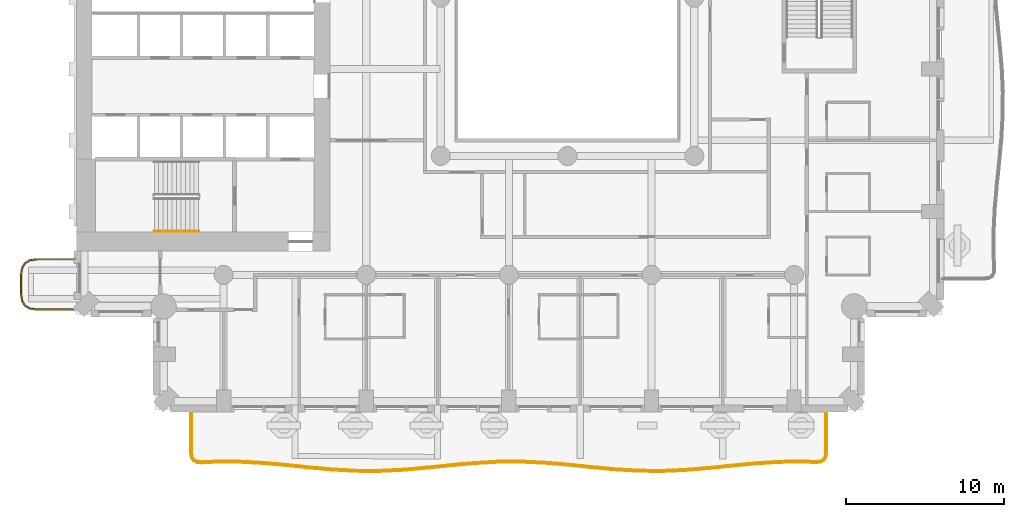
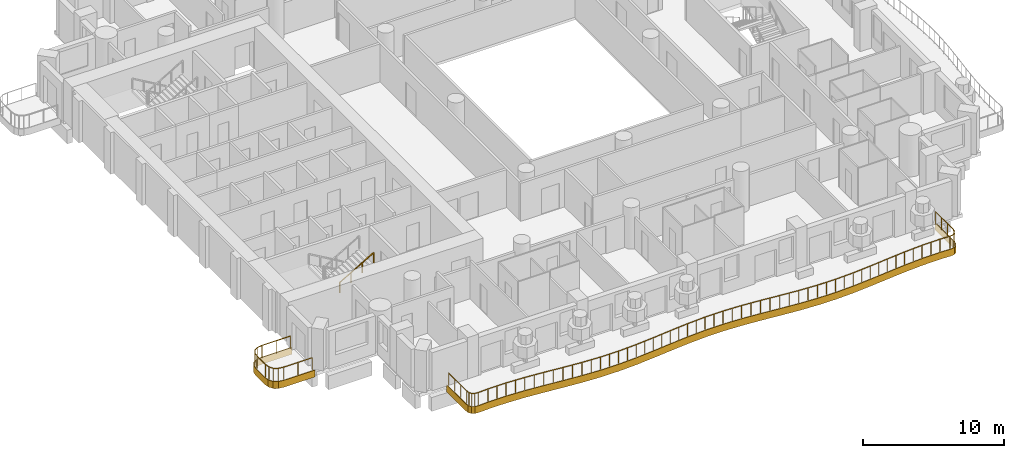
# One storey, part 13 of 20: 3 railings, 2 coverings.
"""IFC4 building model written with IfcOpenShell, lengths in metres."""

import ifcopenshell
import ifcopenshell.guid

model = None  # the IFC model being written
_history = None  # IfcOwnerHistory: only IFC2X3 demands one
_inside = {}  # id of a spatial element -> (the spatial element, [elements in it])
_under = {}  # id of a project, library or spatial element -> (it, [spatial elements below it])
_declared = {}  # id of a project -> (the project, [libraries it declares])
_typed = {}  # id of a type object -> (the type object, [elements of that type])
_made_of = {}  # id of a material, layer set ... -> (it, [elements and type objects made of it])


def new_model(schema):
    """Start an empty IFC model of exactly this schema.

    Asked for "IFC4X3", IfcOpenShell would pick the latest addendum, in which some entities
    have other attributes; the version numbers below select the first issue.
    IFC2X3 requires an IfcOwnerHistory on every rooted entity: one is made here for all.
    """
    global model, _history
    if schema == "IFC4X3":
        model = ifcopenshell.file(schema_version=(4, 3, 0, 0))
    else:
        model = ifcopenshell.file(schema=schema)
    _inside.clear()
    _under.clear()
    _declared.clear()
    _typed.clear()
    _made_of.clear()
    _history = None
    if model.schema == "IFC2X3":
        org = make("IfcOrganization", Name="unknown")
        user = make(
            "IfcPersonAndOrganization",
            ThePerson=make("IfcPerson", FamilyName="unknown"),
            TheOrganization=org,
        )
        app = make(
            "IfcApplication",
            ApplicationDeveloper=org,
            Version="unknown",
            ApplicationFullName="unknown",
            ApplicationIdentifier="unknown",
        )
        _history = make(
            "IfcOwnerHistory",
            OwningUser=user,
            OwningApplication=app,
            ChangeAction="ADDED",
            CreationDate=0,
        )
    return model


def make(cls, **values):
    """One entity of the class cls with the attributes given. An attribute that is None is left unset."""
    return model.create_entity(
        cls, **{name: value for name, value in values.items() if value is not None}
    )


def rooted(cls, **values):
    """An entity with a GlobalId (a new one), such as an element, a storey or a relation."""
    return make(cls, GlobalId=ifcopenshell.guid.new(), OwnerHistory=_history, **values)


def si_unit(unit_type, name, prefix=None):
    """IfcSIUnit, for example si_unit("LENGTHUNIT", "METRE", prefix="MILLI")."""
    return make("IfcSIUnit", UnitType=unit_type, Prefix=prefix, Name=name)


def assignment(units):
    """IfcUnitAssignment: the units of a project."""
    return None if units is None else make("IfcUnitAssignment", Units=units)


def point(xyz):
    """IfcCartesianPoint."""
    return None if xyz is None else make("IfcCartesianPoint", Coordinates=xyz)


def direction(xyz):
    """IfcDirection."""
    return None if xyz is None else make("IfcDirection", DirectionRatios=xyz)


def frame(location, z_axis=None, x_axis=None):
    """IfcAxis2Placement3D, a coordinate frame: its origin and axes. An axis left out is left unset."""
    return make(
        "IfcAxis2Placement3D",
        Location=point(location),
        Axis=direction(z_axis),
        RefDirection=direction(x_axis),
    )


def frame_2d(location, x_axis=None):
    """IfcAxis2Placement2D, a coordinate frame in the plane: its origin and x axis."""
    return make(
        "IfcAxis2Placement2D", Location=point(location), RefDirection=direction(x_axis)
    )


def origin():
    """The frame at (0, 0, 0) with its axes left unset."""
    return frame((0.0, 0.0, 0.0))


def origin_2d():
    """The frame at (0, 0) in the plane with its x axis left unset."""
    return frame_2d((0.0, 0.0))


def place(relative_to, where):
    """IfcLocalPlacement: puts the frame where relative to a parent placement (None: the world)."""
    return make(
        "IfcLocalPlacement", PlacementRelTo=relative_to, RelativePlacement=where
    )


def context(
    kind, dimensions, precision=None, world=None, true_north=None, identifier=None
):
    """IfcGeometricRepresentationContext, for example the 3D "Model" context."""
    return make(
        "IfcGeometricRepresentationContext",
        ContextIdentifier=identifier,
        ContextType=kind,
        CoordinateSpaceDimension=dimensions,
        Precision=precision,
        WorldCoordinateSystem=world,
        TrueNorth=true_north,
    )


def subcontext(parent, identifier, kind, view, scale=None):
    """IfcGeometricRepresentationSubContext, for example "Body" below "Model"."""
    return make(
        "IfcGeometricRepresentationSubContext",
        ContextIdentifier=identifier,
        ContextType=kind,
        ParentContext=parent,
        TargetScale=scale,
        TargetView=view,
    )


def project(units=None, contexts=None):
    """IfcProject with its units and contexts."""
    return rooted(
        "IfcProject",
        Name="project",
        RepresentationContexts=contexts,
        UnitsInContext=assignment(units),
    )


def spatial(cls, under=None, at=None, **own):
    """A site, building, storey or space (cls), placed at a placement, below another one or the project."""
    s = rooted(cls, ObjectPlacement=at, **own)
    if under is not None:
        _under.setdefault(under.id(), (under, []))[1].append(s)
    return s


def polyline(points):
    """IfcPolyline through the points."""
    return make("IfcPolyline", Points=[point(p) for p in points])


def profile(cls, at=None, kind="AREA", **sizes):
    """A parametric profile (cls). Its sizes go by their IFC names, for example OverallWidth=200.0."""
    return make(cls, ProfileType=kind, Position=at, **sizes)


def rectangle(**sizes):
    """IfcRectangleProfileDef."""
    return profile("IfcRectangleProfileDef", **sizes)


def outline(outer, holes=None, kind="AREA"):
    """IfcArbitraryClosedProfileDef: a profile drawn as a closed curve; with holes, ...WithVoids."""
    if holes is None:
        return make("IfcArbitraryClosedProfileDef", ProfileType=kind, OuterCurve=outer)
    return make(
        "IfcArbitraryProfileDefWithVoids",
        ProfileType=kind,
        OuterCurve=outer,
        InnerCurves=holes,
    )


def extrude(swept, where, along, depth):
    """IfcExtrudedAreaSolid: the profile swept, set in the frame where, extruded along a direction by depth."""
    return make(
        "IfcExtrudedAreaSolid",
        SweptArea=swept,
        Position=where,
        ExtrudedDirection=direction(along),
        Depth=depth,
    )


def shape(context_of_items, identifier, shape_type, items):
    """IfcShapeRepresentation: the items that make up one representation, for example the "Body"."""
    return make(
        "IfcShapeRepresentation",
        ContextOfItems=context_of_items,
        RepresentationIdentifier=identifier,
        RepresentationType=shape_type,
        Items=items,
    )


def material(Name=None, Category=None):
    """IfcMaterial."""
    return make("IfcMaterial", Name=Name, Category=Category)


def layer(
    of_material, thickness, ventilated=None, Name=None, Category=None, Priority=None
):
    """IfcMaterialLayer: one layer of a wall or slab, of a material (None: an air gap)."""
    return make(
        "IfcMaterialLayer",
        Material=of_material,
        LayerThickness=thickness,
        IsVentilated=ventilated,
        Name=Name,
        Category=Category,
        Priority=Priority,
    )


def layer_set(layers, Name=None):
    """IfcMaterialLayerSet."""
    return make("IfcMaterialLayerSet", MaterialLayers=layers, LayerSetName=Name)


def made_of(thing, what):
    """Note that an element or type object is made of a material, layer set ...; save() writes the relation."""
    if what is not None:
        _made_of.setdefault(what.id(), (what, []))[1].append(thing)
    return thing


def type_object(cls, material=None, **own):
    """A type object (cls), such as IfcWallType, which elements share."""
    return made_of(rooted(cls, **own), material)


def element(
    cls,
    number,
    at=None,
    inside=None,
    cuts=None,
    type_object=None,
    material=None,
    context=None,
    identifier="Body",
    shape_type=None,
    held_by="IfcProductDefinitionShape",
    body=None,
    shapes=None,
    **own,
):
    """One element of the class cls, such as IfcWall. Its Tag is "e" and its number.

    at: its placement. inside: the storey or other place that contains it. cuts: it is an
    opening in that element (IfcRelVoidsElement). A single representation is given by context,
    identifier, shape_type and body (its items); several are given by shapes. held_by: the class
    of the entity that holds the representations. save() writes the other relations.
    """
    e = rooted(cls, Tag="e%d" % number, ObjectPlacement=at, **own)
    if body is not None:
        shapes = [shape(context, identifier, shape_type, body)]
    if shapes is not None:
        e.Representation = make(held_by, Representations=shapes)
    if inside is not None:
        _inside.setdefault(inside.id(), (inside, []))[1].append(e)
    if cuts is not None:
        rooted(
            "IfcRelVoidsElement", RelatingBuildingElement=cuts, RelatedOpeningElement=e
        )
    if type_object is not None:
        _typed.setdefault(type_object.id(), (type_object, []))[1].append(e)
    return made_of(e, material)


def aggregate(whole, parts):
    """IfcRelAggregates: a whole, such as a stair, and the parts it consists of."""
    return rooted("IfcRelAggregates", RelatingObject=whole, RelatedObjects=parts)


def save(model, path):
    """Write the relations noted so far, then the file.

    IfcRelAggregates (storeys below a building ...), IfcRelContainedInSpatialStructure (elements
    in a storey), IfcRelDefinesByType, IfcRelAssociatesMaterial and IfcRelDeclares: one each for
    every whole, place, type object, material and project.
    """
    for whole, parts in _under.values():
        aggregate(whole, parts)
    for where, things in _inside.values():
        rooted(
            "IfcRelContainedInSpatialStructure",
            RelatedElements=things,
            RelatingStructure=where,
        )
    for kind, things in _typed.values():
        rooted("IfcRelDefinesByType", RelatedObjects=things, RelatingType=kind)
    for what, things in _made_of.values():
        rooted("IfcRelAssociatesMaterial", RelatedObjects=things, RelatingMaterial=what)
    for by, libraries in _declared.values():
        rooted("IfcRelDeclares", RelatingContext=by, RelatedDefinitions=libraries)
    model.write(path)


model = new_model("IFC4")

# Units and contexts
model_context = context("Model", 3, precision=1e-05, world=origin(), true_north=direction((0.0, 1.0)))
body_context = subcontext(model_context, "Body", "Model", "MODEL_VIEW")
ifc_project = project(units=[si_unit("LENGTHUNIT", "METRE"), si_unit("AREAUNIT", "SQUARE_METRE"), si_unit("VOLUMEUNIT", "CUBIC_METRE"), si_unit("PLANEANGLEUNIT", "RADIAN"), si_unit("MASSUNIT", "GRAM", prefix="KILO")], contexts=[model_context])

# Site, building, storey
site_placement = place(None, origin())
site = spatial("IfcSite", under=ifc_project, at=site_placement, CompositionType="ELEMENT")
building_placement = place(site_placement, origin())
building = spatial("IfcBuilding", under=site, at=building_placement, Name="Cypress Arch Tower", CompositionType="ELEMENT")
storey_placement = place(building_placement, frame((0.0, 0.0, 84.300048828125)))
storey = spatial("IfcBuildingStorey", under=building, at=storey_placement, Name="L15", CompositionType="ELEMENT", Elevation=84.300048828125)

# Coverings
ifc_material_1 = material(Name="White powder-coated aluminium fascia", Category="aluminium")
ifc_layer = layer(ifc_material_1, 0.050048828125)
ifc_layer_set = layer_set([ifc_layer], Name="Balcony fascia BF50")
covering_type = type_object("IfcCoveringType", Name="Balcony fascia BF50", PredefinedType="CLADDING", material=ifc_layer_set)
covering_1_placement = place(storey_placement, frame((0.0, 0.0, -0.60009765625)))
element("IfcCovering", 1, at=covering_1_placement, inside=storey, type_object=covering_type, Name="Balcony fascia L15-A00W1", PredefinedType="CLADDING", context=body_context, shape_type="SweptSolid", body=[
    extrude(outline(polyline([(-32.503662109375, -19.75), (-32.95458984375, -19.685546875), (-33.286376953125, -19.486328125), (-33.485595703125, -19.154541015625), (-33.550048828125, -18.70361328125), (-33.550048828125, -17.496337890625), (-33.485595703125, -17.04541015625), (-33.286376953125, -16.713623046875), (-32.95458984375, -16.514404296875), (-32.503662109375, -16.449951171875), (-30.0009765625, -16.449951171875), (-30.0009765625, -16.5), (-32.5, -16.5), (-32.9375, -16.5625), (-33.25, -16.75), (-33.4375, -17.0625), (-33.5, -17.5), (-33.5, -18.699951171875), (-33.4375, -19.137451171875), (-33.25, -19.449951171875), (-32.9375, -19.637451171875), (-32.5, -19.699951171875), (-30.0009765625, -19.699951171875), (-30.0009765625, -19.75), (-32.503662109375, -19.75)])), origin(), (0.0, 0.0, 1.0), 0.60009765625),
])
covering_2_placement = place(storey_placement, frame((0.0, 0.0, -0.60009765625)))
element("IfcCovering", 2, at=covering_2_placement, inside=storey, type_object=covering_type, Name="Balcony fascia L15-A03", PredefinedType="CLADDING", context=body_context, shape_type="SweptSolid", body=[
    extrude(outline(polyline([(17.39990234375, -28.695068359375), (17.356201171875, -29.0), (17.21875, -29.223876953125), (16.989501953125, -29.3525390625), (16.683349609375, -29.384521484375), (15.8642578125, -29.3525390625), (14.381591796875, -29.37255859375), (12.8984375, -29.465576171875), (11.414306640625, -29.60693359375), (9.9287109375, -29.759765625), (8.442138671875, -29.8837890625), (6.95458984375, -29.9462890625), (5.466796875, -29.9306640625), (3.9794921875, -29.84130859375), (2.4931640625, -29.70166015625), (1.00830078125, -29.54833984375), (-0.4755859375, -29.421875), (-1.958251953125, -29.35546875), (-3.44091796875, -29.365966796875), (-4.924072265625, -29.451416015625), (-6.408203125, -29.588623046875), (-7.893310546875, -29.7421875), (-9.3798828125, -29.87158203125), (-10.867431640625, -29.942626953125), (-12.355224609375, -29.936767578125), (-13.842529296875, -29.855224609375), (-15.328857421875, -29.719970703125), (-16.81396484375, -29.566162109375), (-18.2978515625, -29.4345703125), (-19.78076171875, -29.359375), (-21.263427734375, -29.360595703125), (-22.08251953125, -29.4033203125), (-22.388916015625, -29.375244140625), (-22.618408203125, -29.249267578125), (-22.75634765625, -29.026611328125), (-22.800048828125, -28.72216796875), (-22.800048828125, -26.0009765625), (-22.75, -26.0009765625), (-22.75, -28.71875), (-22.708251953125, -29.00927734375), (-22.5830078125, -29.2119140625), (-22.3740234375, -29.326416015625), (-22.081787109375, -29.35302734375), (-21.264892578125, -29.310546875), (-19.779541015625, -29.309326171875), (-18.29443359375, -29.384521484375), (-16.809326171875, -29.516357421875), (-15.323974609375, -29.670166015625), (-13.8388671875, -29.805419921875), (-12.353759765625, -29.88671875), (-10.868408203125, -29.892822265625), (-9.38330078125, -29.82177734375), (-7.898193359375, -29.692626953125), (-6.412841796875, -29.5390625), (-4.927734375, -29.4013671875), (-3.442626953125, -29.316162109375), (-1.95751953125, -29.305419921875), (-0.47216796875, -29.3720703125), (1.012939453125, -29.498779296875), (2.498046875, -29.65185546875), (3.9833984375, -29.79150390625), (5.468505859375, -29.880859375), (6.95361328125, -29.896240234375), (8.43896484375, -29.833984375), (9.924072265625, -29.7099609375), (11.4091796875, -29.557373046875), (12.89453125, -29.415771484375), (14.379638671875, -29.32275390625), (15.86474609375, -29.302490234375), (16.681640625, -29.334228515625), (16.97412109375, -29.303955078125), (17.182861328125, -29.186767578125), (17.308349609375, -28.982666015625), (17.35009765625, -28.691650390625), (17.35009765625, -26.0009765625), (17.39990234375, -26.0009765625), (17.39990234375, -28.695068359375)])), origin(), (0.0, 0.0, 1.0), 0.60009765625),
])

# Railings
ifc_material_2 = material(Name="Powder-coated steel posts and rods, 100 mm clear between rods", Category="steel")
railing_type_1 = type_object("IfcRailingType", Name="Balcony guard GR1100", PredefinedType="GUARDRAIL", material=ifc_material_2)
railing_1_placement = place(storey_placement, frame((-30.14990234375, -19.64990234375, 0.0)))
element("IfcRailing", 3, at=railing_1_placement, inside=storey, type_object=railing_type_1, Name="Balcony guard L15-A00W1", PredefinedType="GUARDRAIL", context=body_context, shape_type="SweptSolid", body=[
    extrude(rectangle(XDim=0.050048828125, YDim=0.050048828125, at=origin_2d()), frame((0.0, 0.0, 1.0751953125), z_axis=(-1.0, 0.0, 0.0), x_axis=(0.0, -1.0, 0.0)), (0.0, 0.0, 1.0), 2.346435546875),
    extrude(rectangle(XDim=0.050048828125, YDim=0.050048828125, at=origin_2d()), frame((-2.346435546875, 0.0, 1.0751953125), z_axis=(-0.989960888959, 0.141341566184, 0.0), x_axis=(-0.141341566184, -0.989960888959, 0.0)), (0.0, 0.0, 1.0), 0.428466796875),
    extrude(rectangle(XDim=0.050048828125, YDim=0.050048828125, at=origin_2d()), frame((-2.7705078125, 0.060546875, 1.0751953125), z_axis=(-0.857681904839, 0.514180659021, 0.0), x_axis=(-0.514180659021, -0.857681904839, 0.0)), (0.0, 0.0, 1.0), 0.341796875),
    extrude(rectangle(XDim=0.050048828125, YDim=0.050048828125, at=origin_2d()), frame((-3.063720703125, 0.236328125, 1.0751953125), z_axis=(-0.514180659021, 0.857681904839, 0.0), x_axis=(-0.857681904839, -0.514180659021, 0.0)), (0.0, 0.0, 1.0), 0.341796875),
    extrude(rectangle(XDim=0.050048828125, YDim=0.050048828125, at=origin_2d()), frame((-3.239501953125, 0.529541015625, 1.0751953125), z_axis=(-0.141421356237, 0.989949493661, 0.0), x_axis=(-0.989949493661, -0.141421356237, 0.0)), (0.0, 0.0, 1.0), 0.42822265625),
    extrude(rectangle(XDim=0.050048828125, YDim=0.050048828125, at=origin_2d()), frame((-3.300048828125, 0.953369140625, 1.0751953125), z_axis=(0.0, 1.0, 0.0), x_axis=(-1.0, 0.0, 0.0)), (0.0, 0.0, 1.0), 1.19287109375),
    extrude(rectangle(XDim=0.050048828125, YDim=0.050048828125, at=origin_2d()), frame((-3.300048828125, 2.146240234375, 1.0751953125), z_axis=(0.141341566184, 0.989960888959, 0.0), x_axis=(-0.989960888959, 0.141341566184, 0.0)), (0.0, 0.0, 1.0), 0.428466796875),
    extrude(rectangle(XDim=0.050048828125, YDim=0.050048828125, at=origin_2d()), frame((-3.239501953125, 2.5703125, 1.0751953125), z_axis=(0.514180659021, 0.857681904839, 0.0), x_axis=(-0.857681904839, 0.514180659021, 0.0)), (0.0, 0.0, 1.0), 0.341796875),
    extrude(rectangle(XDim=0.050048828125, YDim=0.050048828125, at=origin_2d()), frame((-3.063720703125, 2.863525390625, 1.0751953125), z_axis=(0.857681904839, 0.514180659021, 0.0), x_axis=(-0.514180659021, 0.857681904839, 0.0)), (0.0, 0.0, 1.0), 0.341796875),
    extrude(rectangle(XDim=0.050048828125, YDim=0.050048828125, at=origin_2d()), frame((-2.7705078125, 3.039306640625, 1.0751953125), z_axis=(0.989960888959, 0.141341566184, 0.0), x_axis=(-0.141341566184, 0.989960888959, 0.0)), (0.0, 0.0, 1.0), 0.428466796875),
    extrude(rectangle(XDim=0.050048828125, YDim=0.050048828125, at=origin_2d()), frame((-2.346435546875, 3.099853515625, 1.0751953125), z_axis=(1.0, 0.0, 0.0), x_axis=(0.0, 1.0, 0.0)), (0.0, 0.0, 1.0), 2.346435546875),
    extrude(rectangle(XDim=0.0400390625, YDim=0.0400390625, at=origin_2d()), origin(), (0.0, 0.0, 1.0), 1.050048828125),
    extrude(rectangle(XDim=0.0400390625, YDim=0.0400390625, at=origin_2d()), frame((-1.17333984375, 0.0, 0.0)), (0.0, 0.0, 1.0), 1.050048828125),
    extrude(rectangle(XDim=0.0400390625, YDim=0.0400390625, at=origin_2d()), frame((-2.346435546875, 0.0, 0.0)), (0.0, 0.0, 1.0), 1.050048828125),
    extrude(rectangle(XDim=0.0400390625, YDim=0.0400390625, at=origin_2d()), frame((-2.7705078125, 0.060546875, 0.0)), (0.0, 0.0, 1.0), 1.050048828125),
    extrude(rectangle(XDim=0.0400390625, YDim=0.0400390625, at=origin_2d()), frame((-3.063720703125, 0.236328125, 0.0)), (0.0, 0.0, 1.0), 1.050048828125),
    extrude(rectangle(XDim=0.0400390625, YDim=0.0400390625, at=origin_2d()), frame((-3.239501953125, 0.529541015625, 0.0)), (0.0, 0.0, 1.0), 1.050048828125),
    extrude(rectangle(XDim=0.0400390625, YDim=0.0400390625, at=origin_2d()), frame((-3.300048828125, 0.953369140625, 0.0)), (0.0, 0.0, 1.0), 1.050048828125),
    extrude(rectangle(XDim=0.0400390625, YDim=0.0400390625, at=origin_2d()), frame((-3.300048828125, 2.146240234375, 0.0)), (0.0, 0.0, 1.0), 1.050048828125),
    extrude(rectangle(XDim=0.0400390625, YDim=0.0400390625, at=origin_2d()), frame((-3.239501953125, 2.5703125, 0.0)), (0.0, 0.0, 1.0), 1.050048828125),
    extrude(rectangle(XDim=0.0400390625, YDim=0.0400390625, at=origin_2d()), frame((-3.063720703125, 2.863525390625, 0.0)), (0.0, 0.0, 1.0), 1.050048828125),
    extrude(rectangle(XDim=0.0400390625, YDim=0.0400390625, at=origin_2d()), frame((-2.7705078125, 3.039306640625, 0.0)), (0.0, 0.0, 1.0), 1.050048828125),
    extrude(rectangle(XDim=0.0400390625, YDim=0.0400390625, at=origin_2d()), frame((-2.346435546875, 3.099853515625, 0.0)), (0.0, 0.0, 1.0), 1.050048828125),
    extrude(rectangle(XDim=0.0400390625, YDim=0.0400390625, at=origin_2d()), frame((-1.17333984375, 3.099853515625, 0.0)), (0.0, 0.0, 1.0), 1.050048828125),
    extrude(rectangle(XDim=0.0400390625, YDim=0.0400390625, at=origin_2d()), frame((0.0, 3.099853515625, 0.0)), (0.0, 0.0, 1.0), 1.050048828125),
])
railing_2_placement = place(storey_placement, frame((17.300048828125, -26.14990234375, 0.0)))
element("IfcRailing", 4, at=railing_2_placement, inside=storey, type_object=railing_type_1, Name="Balcony guard L15-A03", PredefinedType="GUARDRAIL", context=body_context, shape_type="SweptSolid", body=[
    extrude(rectangle(XDim=0.050048828125, YDim=0.050048828125, at=origin_2d()), frame((0.0, 0.0, 1.0751953125), z_axis=(0.0, -1.0, 0.0), x_axis=(1.0, 0.0, 0.0)), (0.0, 0.0, 1.0), 2.5380859375),
    extrude(rectangle(XDim=0.050048828125, YDim=0.050048828125, at=origin_2d()), frame((0.0, -2.5380859375, 1.0751953125), z_axis=(-0.142031279674, -0.989862169999, 0.0), x_axis=(0.989862169999, -0.142031279674, 0.0)), (0.0, 0.0, 1.0), 0.2802734375),
    extrude(rectangle(XDim=0.050048828125, YDim=0.050048828125, at=origin_2d()), frame((-0.039794921875, -2.8154296875, 1.0751953125), z_axis=(-0.523277432181, -0.852162384156, 0.0), x_axis=(0.852162384156, -0.523277432181, 0.0)), (0.0, 0.0, 1.0), 0.216064453125),
    extrude(rectangle(XDim=0.050048828125, YDim=0.050048828125, at=origin_2d()), frame((-0.15283203125, -2.99951171875, 1.0751953125), z_axis=(-0.871966889501, -0.489564851285, 0.0), x_axis=(0.489564851285, -0.871966889501, 0.0)), (0.0, 0.0, 1.0), 0.216552734375),
    extrude(rectangle(XDim=0.050048828125, YDim=0.050048828125, at=origin_2d()), frame((-0.341552734375, -3.10546875, 1.0751953125), z_axis=(-0.994694870234, -0.10286940814, 0.0), x_axis=(0.10286940814, -0.994694870234, 0.0)), (0.0, 0.0, 1.0), 0.280029296875),
    extrude(rectangle(XDim=0.050048828125, YDim=0.050048828125, at=origin_2d()), frame((-0.6201171875, -3.13427734375, 1.0751953125), z_axis=(-0.999241579018, 0.038939270166, 0.0), x_axis=(-0.038939270166, -0.999241579018, 0.0)), (0.0, 0.0, 1.0), 0.815185546875),
    extrude(rectangle(XDim=0.050048828125, YDim=0.050048828125, at=origin_2d()), frame((-1.4345703125, -3.1025390625, 1.0751953125), z_axis=(-0.999907261328, -0.013618690957, 0.0), x_axis=(0.013618690957, -0.999907261328, 0.0)), (0.0, 0.0, 1.0), 1.488037109375),
    extrude(rectangle(XDim=0.050048828125, YDim=0.050048828125, at=origin_2d()), frame((-2.92236328125, -3.122802734375, 1.0751953125), z_axis=(-0.998039166584, -0.062592507246, 0.0), x_axis=(0.062592507246, -0.998039166584, 0.0)), (0.0, 0.0, 1.0), 1.489990234375),
    extrude(rectangle(XDim=0.050048828125, YDim=0.050048828125, at=origin_2d()), frame((-4.409423828125, -3.216064453125, 1.0751953125), z_axis=(-0.995492532481, -0.094839958745, 0.0), x_axis=(0.094839958745, -0.995492532481, 0.0)), (0.0, 0.0, 1.0), 1.4931640625),
    extrude(rectangle(XDim=0.050048828125, YDim=0.050048828125, at=origin_2d()), frame((-5.895751953125, -3.357666015625, 1.0751953125), z_axis=(-0.994761413661, -0.102223920345, 0.0), x_axis=(0.102223920345, -0.994761413661, 0.0)), (0.0, 0.0, 1.0), 1.49267578125),
    extrude(rectangle(XDim=0.050048828125, YDim=0.050048828125, at=origin_2d()), frame((-7.380615234375, -3.51025390625, 1.0751953125), z_axis=(-0.996537837192, -0.083140477778, 0.0), x_axis=(0.083140477778, -0.996537837192, 0.0)), (0.0, 0.0, 1.0), 1.48876953125),
    extrude(rectangle(XDim=0.050048828125, YDim=0.050048828125, at=origin_2d()), frame((-8.8642578125, -3.634033203125, 1.0751953125), z_axis=(-0.999119909834, -0.041945271157, 0.0), x_axis=(0.041945271157, -0.999119909834, 0.0)), (0.0, 0.0, 1.0), 1.484130859375),
    extrude(rectangle(XDim=0.050048828125, YDim=0.050048828125, at=origin_2d()), frame((-10.34716796875, -3.6962890625, 1.0751953125), z_axis=(-0.999946196629, 0.010373227464, 0.0), x_axis=(-0.010373227464, -0.999946196629, 0.0)), (0.0, 0.0, 1.0), 1.482666015625),
    extrude(rectangle(XDim=0.050048828125, YDim=0.050048828125, at=origin_2d()), frame((-11.829833984375, -3.680908203125, 1.0751953125), z_axis=(-0.998199930409, 0.059974152197, 0.0), x_axis=(-0.059974152197, -0.998199930409, 0.0)), (0.0, 0.0, 1.0), 1.48583984375),
    extrude(rectangle(XDim=0.050048828125, YDim=0.050048828125, at=origin_2d()), frame((-13.31298828125, -3.591796875, 1.0751953125), z_axis=(-0.995600862752, 0.093695902187, 0.0), x_axis=(-0.093695902187, -0.995600862752, 0.0)), (0.0, 0.0, 1.0), 1.490478515625),
    extrude(rectangle(XDim=0.050048828125, YDim=0.050048828125, at=origin_2d()), frame((-14.796875, -3.4521484375, 1.0751953125), z_axis=(-0.994733254145, 0.102497576064, 0.0), x_axis=(-0.102497576064, -0.994733254145, 0.0)), (0.0, 0.0, 1.0), 1.493408203125),
    extrude(rectangle(XDim=0.050048828125, YDim=0.050048828125, at=origin_2d()), frame((-16.282470703125, -3.299072265625, 1.0751953125), z_axis=(-0.996387114364, 0.084927724151, 0.0), x_axis=(-0.084927724151, -0.996387114364, 0.0)), (0.0, 0.0, 1.0), 1.491943359375),
    extrude(rectangle(XDim=0.050048828125, YDim=0.050048828125, at=origin_2d()), frame((-17.76904296875, -3.17236328125, 1.0751953125), z_axis=(-0.99899039687, 0.044924235802, 0.0), x_axis=(-0.044924235802, -0.99899039687, 0.0)), (0.0, 0.0, 1.0), 1.489013671875),
    extrude(rectangle(XDim=0.050048828125, YDim=0.050048828125, at=origin_2d()), frame((-19.256591796875, -3.10546875, 1.0751953125), z_axis=(-0.999973926699, -0.007221213323, 0.0), x_axis=(0.007221213323, -0.999973926699, 0.0)), (0.0, 0.0, 1.0), 1.487548828125),
    extrude(rectangle(XDim=0.050048828125, YDim=0.050048828125, at=origin_2d()), frame((-20.744140625, -3.1162109375, 1.0751953125), z_axis=(-0.998353685533, -0.057357811874, 0.0), x_axis=(0.057357811874, -0.998353685533, 0.0)), (0.0, 0.0, 1.0), 1.48974609375),
    extrude(rectangle(XDim=0.050048828125, YDim=0.050048828125, at=origin_2d()), frame((-22.2314453125, -3.20166015625, 1.0751953125), z_axis=(-0.995736223874, -0.092246259899, 0.0), x_axis=(0.092246259899, -0.995736223874, 0.0)), (0.0, 0.0, 1.0), 1.49267578125),
    extrude(rectangle(XDim=0.050048828125, YDim=0.050048828125, at=origin_2d()), frame((-23.7177734375, -3.33935546875, 1.0751953125), z_axis=(-0.99469640988, -0.10285451945, 0.0), x_axis=(0.10285451945, -0.99469640988, 0.0)), (0.0, 0.0, 1.0), 1.492919921875),
    extrude(rectangle(XDim=0.050048828125, YDim=0.050048828125, at=origin_2d()), frame((-25.202880859375, -3.492919921875, 1.0751953125), z_axis=(-0.996233819717, -0.086707418662, 0.0), x_axis=(0.086707418662, -0.996233819717, 0.0)), (0.0, 0.0, 1.0), 1.489501953125),
    extrude(rectangle(XDim=0.050048828125, YDim=0.050048828125, at=origin_2d()), frame((-26.686767578125, -3.6220703125, 1.0751953125), z_axis=(-0.998862177003, -0.047690159916, 0.0), x_axis=(0.047690159916, -0.998862177003, 0.0)), (0.0, 0.0, 1.0), 1.484619140625),
    extrude(rectangle(XDim=0.050048828125, YDim=0.050048828125, at=origin_2d()), frame((-28.169677734375, -3.69287109375, 1.0751953125), z_axis=(-0.999991526986, 0.004116546711, 0.0), x_axis=(-0.004116546711, -0.999991526986, 0.0)), (0.0, 0.0, 1.0), 1.482666015625),
    extrude(rectangle(XDim=0.050048828125, YDim=0.050048828125, at=origin_2d()), frame((-29.65234375, -3.686767578125, 1.0751953125), z_axis=(-0.998509524665, 0.054577734967, 0.0), x_axis=(-0.054577734967, -0.998509524665, 0.0)), (0.0, 0.0, 1.0), 1.485107421875),
    extrude(rectangle(XDim=0.050048828125, YDim=0.050048828125, at=origin_2d()), frame((-31.13525390625, -3.605712890625, 1.0751953125), z_axis=(-0.995873039791, 0.090757306143, 0.0), x_axis=(-0.090757306143, -0.995873039791, 0.0)), (0.0, 0.0, 1.0), 1.490234375),
    extrude(rectangle(XDim=0.050048828125, YDim=0.050048828125, at=origin_2d()), frame((-32.619384765625, -3.470458984375, 1.0751953125), z_axis=(-0.994679667362, 0.103016306171, 0.0), x_axis=(-0.103016306171, -0.994679667362, 0.0)), (0.0, 0.0, 1.0), 1.4931640625),
    extrude(rectangle(XDim=0.050048828125, YDim=0.050048828125, at=origin_2d()), frame((-34.1044921875, -3.316650390625, 1.0751953125), z_axis=(-0.996090574076, 0.088337807522, 0.0), x_axis=(-0.088337807522, -0.996090574076, 0.0)), (0.0, 0.0, 1.0), 1.492431640625),
    extrude(rectangle(XDim=0.050048828125, YDim=0.050048828125, at=origin_2d()), frame((-35.591064453125, -3.184814453125, 1.0751953125), z_axis=(-0.998724383761, 0.050493616251, 0.0), x_axis=(-0.050493616251, -0.998724383761, 0.0)), (0.0, 0.0, 1.0), 1.4892578125),
    extrude(rectangle(XDim=0.050048828125, YDim=0.050048828125, at=origin_2d()), frame((-37.078369140625, -3.109619140625, 1.0751953125), z_axis=(-0.999999663407, -0.000820478884, 0.0), x_axis=(0.000820478884, -0.999999663407, 0.0)), (0.0, 0.0, 1.0), 1.48779296875),
    extrude(rectangle(XDim=0.050048828125, YDim=0.050048828125, at=origin_2d()), frame((-38.566162109375, -3.11083984375, 1.0751953125), z_axis=(-0.998658855923, -0.051773443834, 0.0), x_axis=(0.051773443834, -0.998658855923, 0.0)), (0.0, 0.0, 1.0), 0.815673828125),
    extrude(rectangle(XDim=0.050048828125, YDim=0.050048828125, at=origin_2d()), frame((-39.380859375, -3.153076171875, 1.0751953125), z_axis=(-0.995864515145, 0.090850797873, 0.0), x_axis=(-0.090850797873, -0.995864515145, 0.0)), (0.0, 0.0, 1.0), 0.279541015625),
    extrude(rectangle(XDim=0.050048828125, YDim=0.050048828125, at=origin_2d()), frame((-39.6591796875, -3.127685546875, 1.0751953125), z_axis=(-0.876719603344, 0.481001805726, 0.0), x_axis=(-0.481001805726, -0.876719603344, 0.0)), (0.0, 0.0, 1.0), 0.214599609375),
    extrude(rectangle(XDim=0.050048828125, YDim=0.050048828125, at=origin_2d()), frame((-39.847412109375, -3.0244140625, 1.0751953125), z_axis=(-0.525492880722, 0.850797997359, 0.0), x_axis=(-0.850797997359, -0.525492880722, 0.0)), (0.0, 0.0, 1.0), 0.214599609375),
    extrude(rectangle(XDim=0.050048828125, YDim=0.050048828125, at=origin_2d()), frame((-39.960205078125, -2.841796875, 1.0751953125), z_axis=(-0.142399739356, 0.989809231232, 0.0), x_axis=(-0.989809231232, -0.142399739356, 0.0)), (0.0, 0.0, 1.0), 0.279541015625),
    extrude(rectangle(XDim=0.050048828125, YDim=0.050048828125, at=origin_2d()), frame((-40.0, -2.565185546875, 1.0751953125), z_axis=(0.0, 1.0, 0.0), x_axis=(-1.0, 0.0, 0.0)), (0.0, 0.0, 1.0), 2.565185546875),
    extrude(rectangle(XDim=0.0400390625, YDim=0.0400390625, at=origin_2d()), origin(), (0.0, 0.0, 1.0), 1.050048828125),
    extrude(rectangle(XDim=0.0400390625, YDim=0.0400390625, at=origin_2d()), frame((0.0, -0.845947265625, 0.0)), (0.0, 0.0, 1.0), 1.050048828125),
    extrude(rectangle(XDim=0.0400390625, YDim=0.0400390625, at=origin_2d()), frame((0.0, -1.692138671875, 0.0)), (0.0, 0.0, 1.0), 1.050048828125),
    extrude(rectangle(XDim=0.0400390625, YDim=0.0400390625, at=origin_2d()), frame((0.0, -2.5380859375, 0.0)), (0.0, 0.0, 1.0), 1.050048828125),
    extrude(rectangle(XDim=0.0400390625, YDim=0.0400390625, at=origin_2d()), frame((-0.039794921875, -2.8154296875, 0.0)), (0.0, 0.0, 1.0), 1.050048828125),
    extrude(rectangle(XDim=0.0400390625, YDim=0.0400390625, at=origin_2d()), frame((-0.15283203125, -2.99951171875, 0.0)), (0.0, 0.0, 1.0), 1.050048828125),
    extrude(rectangle(XDim=0.0400390625, YDim=0.0400390625, at=origin_2d()), frame((-0.341552734375, -3.10546875, 0.0)), (0.0, 0.0, 1.0), 1.050048828125),
    extrude(rectangle(XDim=0.0400390625, YDim=0.0400390625, at=origin_2d()), frame((-0.6201171875, -3.13427734375, 0.0)), (0.0, 0.0, 1.0), 1.050048828125),
    extrude(rectangle(XDim=0.0400390625, YDim=0.0400390625, at=origin_2d()), frame((-1.4345703125, -3.1025390625, 0.0)), (0.0, 0.0, 1.0), 1.050048828125),
    extrude(rectangle(XDim=0.0400390625, YDim=0.0400390625, at=origin_2d()), frame((-2.178466796875, -3.11279296875, 0.0)), (0.0, 0.0, 1.0), 1.050048828125),
    extrude(rectangle(XDim=0.0400390625, YDim=0.0400390625, at=origin_2d()), frame((-2.92236328125, -3.122802734375, 0.0)), (0.0, 0.0, 1.0), 1.050048828125),
    extrude(rectangle(XDim=0.0400390625, YDim=0.0400390625, at=origin_2d()), frame((-3.666015625, -3.16943359375, 0.0)), (0.0, 0.0, 1.0), 1.050048828125),
    extrude(rectangle(XDim=0.0400390625, YDim=0.0400390625, at=origin_2d()), frame((-4.409423828125, -3.216064453125, 0.0)), (0.0, 0.0, 1.0), 1.050048828125),
    extrude(rectangle(XDim=0.0400390625, YDim=0.0400390625, at=origin_2d()), frame((-5.152587890625, -3.286865234375, 0.0)), (0.0, 0.0, 1.0), 1.050048828125),
    extrude(rectangle(XDim=0.0400390625, YDim=0.0400390625, at=origin_2d()), frame((-5.895751953125, -3.357666015625, 0.0)), (0.0, 0.0, 1.0), 1.050048828125),
    extrude(rectangle(XDim=0.0400390625, YDim=0.0400390625, at=origin_2d()), frame((-6.63818359375, -3.43408203125, 0.0)), (0.0, 0.0, 1.0), 1.050048828125),
    extrude(rectangle(XDim=0.0400390625, YDim=0.0400390625, at=origin_2d()), frame((-7.380615234375, -3.51025390625, 0.0)), (0.0, 0.0, 1.0), 1.050048828125),
    extrude(rectangle(XDim=0.0400390625, YDim=0.0400390625, at=origin_2d()), frame((-8.12255859375, -3.572265625, 0.0)), (0.0, 0.0, 1.0), 1.050048828125),
    extrude(rectangle(XDim=0.0400390625, YDim=0.0400390625, at=origin_2d()), frame((-8.8642578125, -3.634033203125, 0.0)), (0.0, 0.0, 1.0), 1.050048828125),
    extrude(rectangle(XDim=0.0400390625, YDim=0.0400390625, at=origin_2d()), frame((-9.605712890625, -3.6650390625, 0.0)), (0.0, 0.0, 1.0), 1.050048828125),
    extrude(rectangle(XDim=0.0400390625, YDim=0.0400390625, at=origin_2d()), frame((-10.34716796875, -3.6962890625, 0.0)), (0.0, 0.0, 1.0), 1.050048828125),
    extrude(rectangle(XDim=0.0400390625, YDim=0.0400390625, at=origin_2d()), frame((-11.08837890625, -3.6884765625, 0.0)), (0.0, 0.0, 1.0), 1.050048828125),
    extrude(rectangle(XDim=0.0400390625, YDim=0.0400390625, at=origin_2d()), frame((-11.829833984375, -3.680908203125, 0.0)), (0.0, 0.0, 1.0), 1.050048828125),
    extrude(rectangle(XDim=0.0400390625, YDim=0.0400390625, at=origin_2d()), frame((-12.5712890625, -3.63623046875, 0.0)), (0.0, 0.0, 1.0), 1.050048828125),
    extrude(rectangle(XDim=0.0400390625, YDim=0.0400390625, at=origin_2d()), frame((-13.31298828125, -3.591796875, 0.0)), (0.0, 0.0, 1.0), 1.050048828125),
    extrude(rectangle(XDim=0.0400390625, YDim=0.0400390625, at=origin_2d()), frame((-14.054931640625, -3.52197265625, 0.0)), (0.0, 0.0, 1.0), 1.050048828125),
    extrude(rectangle(XDim=0.0400390625, YDim=0.0400390625, at=origin_2d()), frame((-14.796875, -3.4521484375, 0.0)), (0.0, 0.0, 1.0), 1.050048828125),
    extrude(rectangle(XDim=0.0400390625, YDim=0.0400390625, at=origin_2d()), frame((-15.53955078125, -3.37548828125, 0.0)), (0.0, 0.0, 1.0), 1.050048828125),
    extrude(rectangle(XDim=0.0400390625, YDim=0.0400390625, at=origin_2d()), frame((-16.282470703125, -3.299072265625, 0.0)), (0.0, 0.0, 1.0), 1.050048828125),
    extrude(rectangle(XDim=0.0400390625, YDim=0.0400390625, at=origin_2d()), frame((-17.02587890625, -3.23583984375, 0.0)), (0.0, 0.0, 1.0), 1.050048828125),
    extrude(rectangle(XDim=0.0400390625, YDim=0.0400390625, at=origin_2d()), frame((-17.76904296875, -3.17236328125, 0.0)), (0.0, 0.0, 1.0), 1.050048828125),
    extrude(rectangle(XDim=0.0400390625, YDim=0.0400390625, at=origin_2d()), frame((-18.5126953125, -3.138916015625, 0.0)), (0.0, 0.0, 1.0), 1.050048828125),
    extrude(rectangle(XDim=0.0400390625, YDim=0.0400390625, at=origin_2d()), frame((-19.256591796875, -3.10546875, 0.0)), (0.0, 0.0, 1.0), 1.050048828125),
    extrude(rectangle(XDim=0.0400390625, YDim=0.0400390625, at=origin_2d()), frame((-20.00048828125, -3.11083984375, 0.0)), (0.0, 0.0, 1.0), 1.050048828125),
    extrude(rectangle(XDim=0.0400390625, YDim=0.0400390625, at=origin_2d()), frame((-20.744140625, -3.1162109375, 0.0)), (0.0, 0.0, 1.0), 1.050048828125),
    extrude(rectangle(XDim=0.0400390625, YDim=0.0400390625, at=origin_2d()), frame((-21.48779296875, -3.158935546875, 0.0)), (0.0, 0.0, 1.0), 1.050048828125),
    extrude(rectangle(XDim=0.0400390625, YDim=0.0400390625, at=origin_2d()), frame((-22.2314453125, -3.20166015625, 0.0)), (0.0, 0.0, 1.0), 1.050048828125),
    extrude(rectangle(XDim=0.0400390625, YDim=0.0400390625, at=origin_2d()), frame((-22.974609375, -3.2705078125, 0.0)), (0.0, 0.0, 1.0), 1.050048828125),
    extrude(rectangle(XDim=0.0400390625, YDim=0.0400390625, at=origin_2d()), frame((-23.7177734375, -3.33935546875, 0.0)), (0.0, 0.0, 1.0), 1.050048828125),
    extrude(rectangle(XDim=0.0400390625, YDim=0.0400390625, at=origin_2d()), frame((-24.46044921875, -3.416015625, 0.0)), (0.0, 0.0, 1.0), 1.050048828125),
    extrude(rectangle(XDim=0.0400390625, YDim=0.0400390625, at=origin_2d()), frame((-25.202880859375, -3.492919921875, 0.0)), (0.0, 0.0, 1.0), 1.050048828125),
    extrude(rectangle(XDim=0.0400390625, YDim=0.0400390625, at=origin_2d()), frame((-25.94482421875, -3.5576171875, 0.0)), (0.0, 0.0, 1.0), 1.050048828125),
    extrude(rectangle(XDim=0.0400390625, YDim=0.0400390625, at=origin_2d()), frame((-26.686767578125, -3.6220703125, 0.0)), (0.0, 0.0, 1.0), 1.050048828125),
    extrude(rectangle(XDim=0.0400390625, YDim=0.0400390625, at=origin_2d()), frame((-27.42822265625, -3.657470703125, 0.0)), (0.0, 0.0, 1.0), 1.050048828125),
    extrude(rectangle(XDim=0.0400390625, YDim=0.0400390625, at=origin_2d()), frame((-28.169677734375, -3.69287109375, 0.0)), (0.0, 0.0, 1.0), 1.050048828125),
    extrude(rectangle(XDim=0.0400390625, YDim=0.0400390625, at=origin_2d()), frame((-28.9111328125, -3.68994140625, 0.0)), (0.0, 0.0, 1.0), 1.050048828125),
    extrude(rectangle(XDim=0.0400390625, YDim=0.0400390625, at=origin_2d()), frame((-29.65234375, -3.686767578125, 0.0)), (0.0, 0.0, 1.0), 1.050048828125),
    extrude(rectangle(XDim=0.0400390625, YDim=0.0400390625, at=origin_2d()), frame((-30.393798828125, -3.646240234375, 0.0)), (0.0, 0.0, 1.0), 1.050048828125),
    extrude(rectangle(XDim=0.0400390625, YDim=0.0400390625, at=origin_2d()), frame((-31.13525390625, -3.605712890625, 0.0)), (0.0, 0.0, 1.0), 1.050048828125),
    extrude(rectangle(XDim=0.0400390625, YDim=0.0400390625, at=origin_2d()), frame((-31.87744140625, -3.5380859375, 0.0)), (0.0, 0.0, 1.0), 1.050048828125),
    extrude(rectangle(XDim=0.0400390625, YDim=0.0400390625, at=origin_2d()), frame((-32.619384765625, -3.470458984375, 0.0)), (0.0, 0.0, 1.0), 1.050048828125),
    extrude(rectangle(XDim=0.0400390625, YDim=0.0400390625, at=origin_2d()), frame((-33.36181640625, -3.3935546875, 0.0)), (0.0, 0.0, 1.0), 1.050048828125),
    extrude(rectangle(XDim=0.0400390625, YDim=0.0400390625, at=origin_2d()), frame((-34.1044921875, -3.316650390625, 0.0)), (0.0, 0.0, 1.0), 1.050048828125),
    extrude(rectangle(XDim=0.0400390625, YDim=0.0400390625, at=origin_2d()), frame((-34.84765625, -3.250732421875, 0.0)), (0.0, 0.0, 1.0), 1.050048828125),
    extrude(rectangle(XDim=0.0400390625, YDim=0.0400390625, at=origin_2d()), frame((-35.591064453125, -3.184814453125, 0.0)), (0.0, 0.0, 1.0), 1.050048828125),
    extrude(rectangle(XDim=0.0400390625, YDim=0.0400390625, at=origin_2d()), frame((-36.334716796875, -3.147216796875, 0.0)), (0.0, 0.0, 1.0), 1.050048828125),
    extrude(rectangle(XDim=0.0400390625, YDim=0.0400390625, at=origin_2d()), frame((-37.078369140625, -3.109619140625, 0.0)), (0.0, 0.0, 1.0), 1.050048828125),
    extrude(rectangle(XDim=0.0400390625, YDim=0.0400390625, at=origin_2d()), frame((-37.822265625, -3.1103515625, 0.0)), (0.0, 0.0, 1.0), 1.050048828125),
    extrude(rectangle(XDim=0.0400390625, YDim=0.0400390625, at=origin_2d()), frame((-38.566162109375, -3.11083984375, 0.0)), (0.0, 0.0, 1.0), 1.050048828125),
    extrude(rectangle(XDim=0.0400390625, YDim=0.0400390625, at=origin_2d()), frame((-39.380859375, -3.153076171875, 0.0)), (0.0, 0.0, 1.0), 1.050048828125),
    extrude(rectangle(XDim=0.0400390625, YDim=0.0400390625, at=origin_2d()), frame((-39.6591796875, -3.127685546875, 0.0)), (0.0, 0.0, 1.0), 1.050048828125),
    extrude(rectangle(XDim=0.0400390625, YDim=0.0400390625, at=origin_2d()), frame((-39.847412109375, -3.0244140625, 0.0)), (0.0, 0.0, 1.0), 1.050048828125),
    extrude(rectangle(XDim=0.0400390625, YDim=0.0400390625, at=origin_2d()), frame((-39.960205078125, -2.841796875, 0.0)), (0.0, 0.0, 1.0), 1.050048828125),
    extrude(rectangle(XDim=0.0400390625, YDim=0.0400390625, at=origin_2d()), frame((-40.0, -2.565185546875, 0.0)), (0.0, 0.0, 1.0), 1.050048828125),
    extrude(rectangle(XDim=0.0400390625, YDim=0.0400390625, at=origin_2d()), frame((-40.0, -1.710205078125, 0.0)), (0.0, 0.0, 1.0), 1.050048828125),
    extrude(rectangle(XDim=0.0400390625, YDim=0.0400390625, at=origin_2d()), frame((-40.0, -0.85498046875, 0.0)), (0.0, 0.0, 1.0), 1.050048828125),
    extrude(rectangle(XDim=0.0400390625, YDim=0.0400390625, at=origin_2d()), frame((-40.0, 0.0, 0.0)), (0.0, 0.0, 1.0), 1.050048828125),
])
ifc_material_3 = material(Name="Black powder-coated steel square bar 48 mm", Category="steel")
railing_type_2 = type_object("IfcRailingType", Name="Stair handrail HR1", PredefinedType="HANDRAIL", material=ifc_material_3)
railing_3_placement = place(storey_placement, frame((-25.074951171875, -14.75, 1.963623046875)))
element("IfcRailing", 5, at=railing_3_placement, inside=storey, type_object=railing_type_2, Name="L15 A stair handrail 2", PredefinedType="HANDRAIL", context=body_context, shape_type="SweptSolid", body=[
    extrude(rectangle(XDim=0.048095703125, YDim=0.048095703125, at=origin_2d()), frame((0.0, 0.0, 0.8759765625), z_axis=(0.863393664356, 0.0, 0.504530851732), x_axis=(0.0, 1.0, 0.0)), (0.0, 0.0, 1.0), 3.2431640625),
    extrude(rectangle(XDim=0.0419921875, YDim=0.0419921875, at=origin_2d()), origin(), (0.0, 0.0, 1.0), 0.851806640625),
    extrude(rectangle(XDim=0.0419921875, YDim=0.0419921875, at=origin_2d()), frame((0.933349609375, 0.0, 0.54541015625)), (0.0, 0.0, 1.0), 0.851806640625),
    extrude(rectangle(XDim=0.0419921875, YDim=0.0419921875, at=origin_2d()), frame((1.86669921875, 0.0, 1.0908203125)), (0.0, 0.0, 1.0), 0.851806640625),
    extrude(rectangle(XDim=0.0419921875, YDim=0.0419921875, at=origin_2d()), frame((2.800048828125, 0.0, 1.63623046875)), (0.0, 0.0, 1.0), 0.851806640625),
])

save(model, "model.ifc")
